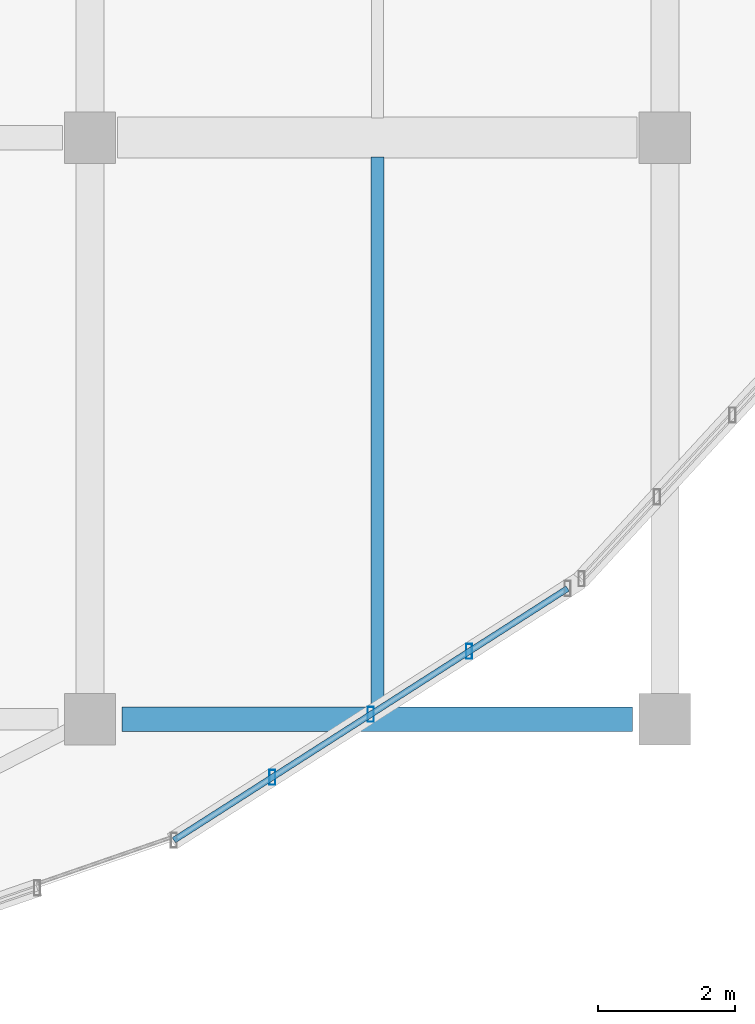
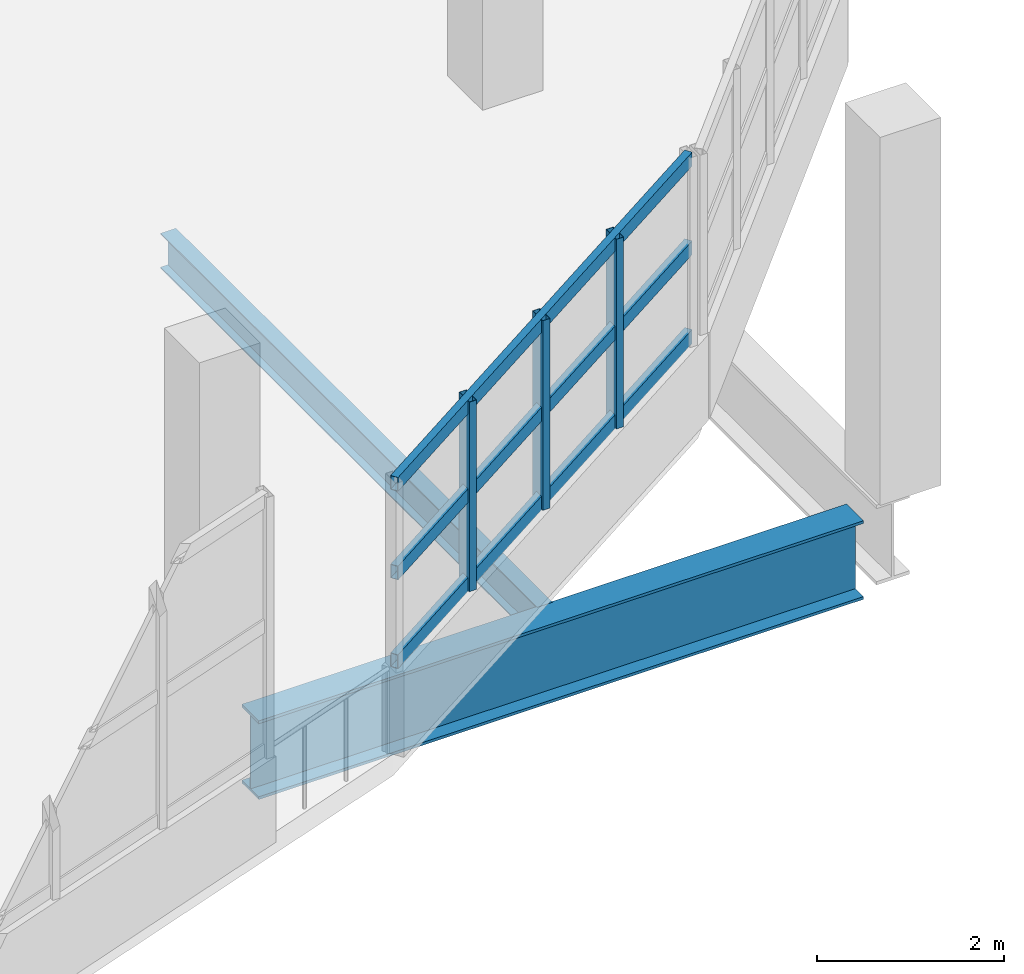
# One storey, part 22 of 117: 6 members, 2 beams, 1 element without a shape of its own.
"""IFC4 building model written with IfcOpenShell, lengths in metres."""

import ifcopenshell
import ifcopenshell.guid

model = None  # the IFC model being written
_history = None  # IfcOwnerHistory: only IFC2X3 demands one
_inside = {}  # id of a spatial element -> (the spatial element, [elements in it])
_under = {}  # id of a project, library or spatial element -> (it, [spatial elements below it])
_declared = {}  # id of a project -> (the project, [libraries it declares])
_typed = {}  # id of a type object -> (the type object, [elements of that type])
_made_of = {}  # id of a material, layer set ... -> (it, [elements and type objects made of it])


def new_model(schema):
    """Start an empty IFC model of exactly this schema.

    Asked for "IFC4X3", IfcOpenShell would pick the latest addendum, in which some entities
    have other attributes; the version numbers below select the first issue.
    IFC2X3 requires an IfcOwnerHistory on every rooted entity: one is made here for all.
    """
    global model, _history
    if schema == "IFC4X3":
        model = ifcopenshell.file(schema_version=(4, 3, 0, 0))
    else:
        model = ifcopenshell.file(schema=schema)
    _inside.clear()
    _under.clear()
    _declared.clear()
    _typed.clear()
    _made_of.clear()
    _history = None
    if model.schema == "IFC2X3":
        org = make("IfcOrganization", Name="unknown")
        user = make(
            "IfcPersonAndOrganization",
            ThePerson=make("IfcPerson", FamilyName="unknown"),
            TheOrganization=org,
        )
        app = make(
            "IfcApplication",
            ApplicationDeveloper=org,
            Version="unknown",
            ApplicationFullName="unknown",
            ApplicationIdentifier="unknown",
        )
        _history = make(
            "IfcOwnerHistory",
            OwningUser=user,
            OwningApplication=app,
            ChangeAction="ADDED",
            CreationDate=0,
        )
    return model


def make(cls, **values):
    """One entity of the class cls with the attributes given. An attribute that is None is left unset."""
    return model.create_entity(
        cls, **{name: value for name, value in values.items() if value is not None}
    )


def rooted(cls, **values):
    """An entity with a GlobalId (a new one), such as an element, a storey or a relation."""
    return make(cls, GlobalId=ifcopenshell.guid.new(), OwnerHistory=_history, **values)


def si_unit(unit_type, name, prefix=None):
    """IfcSIUnit, for example si_unit("LENGTHUNIT", "METRE", prefix="MILLI")."""
    return make("IfcSIUnit", UnitType=unit_type, Prefix=prefix, Name=name)


def assignment(units):
    """IfcUnitAssignment: the units of a project."""
    return None if units is None else make("IfcUnitAssignment", Units=units)


def point(xyz):
    """IfcCartesianPoint."""
    return None if xyz is None else make("IfcCartesianPoint", Coordinates=xyz)


def direction(xyz):
    """IfcDirection."""
    return None if xyz is None else make("IfcDirection", DirectionRatios=xyz)


def frame(location, z_axis=None, x_axis=None):
    """IfcAxis2Placement3D, a coordinate frame: its origin and axes. An axis left out is left unset."""
    return make(
        "IfcAxis2Placement3D",
        Location=point(location),
        Axis=direction(z_axis),
        RefDirection=direction(x_axis),
    )


def frame_2d(location, x_axis=None):
    """IfcAxis2Placement2D, a coordinate frame in the plane: its origin and x axis."""
    return make(
        "IfcAxis2Placement2D", Location=point(location), RefDirection=direction(x_axis)
    )


def origin():
    """The frame at (0, 0, 0) with its axes left unset."""
    return frame((0.0, 0.0, 0.0))


def origin_2d():
    """The frame at (0, 0) in the plane with its x axis left unset."""
    return frame_2d((0.0, 0.0))


def place(relative_to, where):
    """IfcLocalPlacement: puts the frame where relative to a parent placement (None: the world)."""
    return make(
        "IfcLocalPlacement", PlacementRelTo=relative_to, RelativePlacement=where
    )


def context(
    kind, dimensions, precision=None, world=None, true_north=None, identifier=None
):
    """IfcGeometricRepresentationContext, for example the 3D "Model" context."""
    return make(
        "IfcGeometricRepresentationContext",
        ContextIdentifier=identifier,
        ContextType=kind,
        CoordinateSpaceDimension=dimensions,
        Precision=precision,
        WorldCoordinateSystem=world,
        TrueNorth=true_north,
    )


def subcontext(parent, identifier, kind, view, scale=None):
    """IfcGeometricRepresentationSubContext, for example "Body" below "Model"."""
    return make(
        "IfcGeometricRepresentationSubContext",
        ContextIdentifier=identifier,
        ContextType=kind,
        ParentContext=parent,
        TargetScale=scale,
        TargetView=view,
    )


def project(units=None, contexts=None):
    """IfcProject with its units and contexts."""
    return rooted(
        "IfcProject",
        Name="project",
        RepresentationContexts=contexts,
        UnitsInContext=assignment(units),
    )


def spatial(cls, under=None, at=None, **own):
    """A site, building, storey or space (cls), placed at a placement, below another one or the project."""
    s = rooted(cls, ObjectPlacement=at, **own)
    if under is not None:
        _under.setdefault(under.id(), (under, []))[1].append(s)
    return s


def profile(cls, at=None, kind="AREA", **sizes):
    """A parametric profile (cls). Its sizes go by their IFC names, for example OverallWidth=200.0."""
    return make(cls, ProfileType=kind, Position=at, **sizes)


def hollow_rectangle(**sizes):
    """IfcRectangleHollowProfileDef."""
    return profile("IfcRectangleHollowProfileDef", **sizes)


def i_section(**sizes):
    """IfcIShapeProfileDef."""
    return profile("IfcIShapeProfileDef", **sizes)


def extrude(swept, where, along, depth):
    """IfcExtrudedAreaSolid: the profile swept, set in the frame where, extruded along a direction by depth."""
    return make(
        "IfcExtrudedAreaSolid",
        SweptArea=swept,
        Position=where,
        ExtrudedDirection=direction(along),
        Depth=depth,
    )


def shape(context_of_items, identifier, shape_type, items):
    """IfcShapeRepresentation: the items that make up one representation, for example the "Body"."""
    return make(
        "IfcShapeRepresentation",
        ContextOfItems=context_of_items,
        RepresentationIdentifier=identifier,
        RepresentationType=shape_type,
        Items=items,
    )


def material(Name=None, Category=None):
    """IfcMaterial."""
    return make("IfcMaterial", Name=Name, Category=Category)


def material_profile(
    of_material, cross_section, Name=None, Category=None, Priority=None
):
    """IfcMaterialProfile: a cross section and its material."""
    return make(
        "IfcMaterialProfile",
        Name=Name,
        Material=of_material,
        Profile=cross_section,
        Priority=Priority,
        Category=Category,
    )


def profile_set(profiles, Name=None, composite=None):
    """IfcMaterialProfileSet."""
    return make(
        "IfcMaterialProfileSet",
        Name=Name,
        MaterialProfiles=profiles,
        CompositeProfile=composite,
    )


def made_of(thing, what):
    """Note that an element or type object is made of a material, layer set ...; save() writes the relation."""
    if what is not None:
        _made_of.setdefault(what.id(), (what, []))[1].append(thing)
    return thing


def type_object(cls, material=None, **own):
    """A type object (cls), such as IfcWallType, which elements share."""
    return made_of(rooted(cls, **own), material)


def element(
    cls,
    number,
    at=None,
    inside=None,
    cuts=None,
    type_object=None,
    material=None,
    context=None,
    identifier="Body",
    shape_type=None,
    held_by="IfcProductDefinitionShape",
    body=None,
    shapes=None,
    **own,
):
    """One element of the class cls, such as IfcWall. Its Tag is "e" and its number.

    at: its placement. inside: the storey or other place that contains it. cuts: it is an
    opening in that element (IfcRelVoidsElement). A single representation is given by context,
    identifier, shape_type and body (its items); several are given by shapes. held_by: the class
    of the entity that holds the representations. save() writes the other relations.
    """
    e = rooted(cls, Tag="e%d" % number, ObjectPlacement=at, **own)
    if body is not None:
        shapes = [shape(context, identifier, shape_type, body)]
    if shapes is not None:
        e.Representation = make(held_by, Representations=shapes)
    if inside is not None:
        _inside.setdefault(inside.id(), (inside, []))[1].append(e)
    if cuts is not None:
        rooted(
            "IfcRelVoidsElement", RelatingBuildingElement=cuts, RelatedOpeningElement=e
        )
    if type_object is not None:
        _typed.setdefault(type_object.id(), (type_object, []))[1].append(e)
    return made_of(e, material)


def aggregate(whole, parts):
    """IfcRelAggregates: a whole, such as a stair, and the parts it consists of."""
    return rooted("IfcRelAggregates", RelatingObject=whole, RelatedObjects=parts)


def save(model, path):
    """Write the relations noted so far, then the file.

    IfcRelAggregates (storeys below a building ...), IfcRelContainedInSpatialStructure (elements
    in a storey), IfcRelDefinesByType, IfcRelAssociatesMaterial and IfcRelDeclares: one each for
    every whole, place, type object, material and project.
    """
    for whole, parts in _under.values():
        aggregate(whole, parts)
    for where, things in _inside.values():
        rooted(
            "IfcRelContainedInSpatialStructure",
            RelatedElements=things,
            RelatingStructure=where,
        )
    for kind, things in _typed.values():
        rooted("IfcRelDefinesByType", RelatedObjects=things, RelatingType=kind)
    for what, things in _made_of.values():
        rooted("IfcRelAssociatesMaterial", RelatedObjects=things, RelatingMaterial=what)
    for by, libraries in _declared.values():
        rooted("IfcRelDeclares", RelatingContext=by, RelatedDefinitions=libraries)
    model.write(path)


model = new_model("IFC4")

# Units and contexts
model_context = context("Model", 3, precision=1e-05, world=origin(), true_north=direction((0.0, 1.0)))
body_context = subcontext(model_context, "Body", "Model", "MODEL_VIEW")
ifc_project = project(units=[si_unit("LENGTHUNIT", "METRE"), si_unit("AREAUNIT", "SQUARE_METRE"), si_unit("VOLUMEUNIT", "CUBIC_METRE"), si_unit("PLANEANGLEUNIT", "RADIAN"), si_unit("MASSUNIT", "GRAM", prefix="KILO")], contexts=[model_context])

# Site, building, storey
site_placement = place(None, origin())
site = spatial("IfcSite", under=ifc_project, at=site_placement, CompositionType="ELEMENT")
building_placement = place(site_placement, origin())
building = spatial("IfcBuilding", under=site, at=building_placement, Name="Solvento Point Concert Hall", CompositionType="ELEMENT")
storey_placement = place(building_placement, frame((0.0, 0.0, 5.39990234375)))
storey = spatial("IfcBuildingStorey", under=building, at=storey_placement, Name="L01", CompositionType="ELEMENT", Elevation=5.39990234375)

# Beams
ifc_material_1 = material(Name="Structural Steel ASTM A992 Grade 50", Category="steel")
ifc_material_profile_1 = material_profile(ifc_material_1, i_section(OverallWidth=0.361083984375, OverallDepth=1.02587890625, WebThickness=0.01904296875, FlangeThickness=0.0361328125, at=origin_2d()), Name="W40X249")
ifc_profile_set_1 = profile_set([ifc_material_profile_1], Name="Structural Steel ASTM A992 Grade 50")
beam_type_1 = type_object("IfcBeamType", Name="Girder_W40X249", PredefinedType="USERDEFINED", material=ifc_profile_set_1)
beam_1_placement = place(storey_placement, frame((74.868896484375, 17.0, -0.796875), z_axis=(1.0, 0.0, 0.0), x_axis=(0.0, 1.0, 0.0)))
element("IfcBeam", 1, at=beam_1_placement, inside=storey, type_object=beam_type_1, Name="Primary girder B-29 L01", ObjectType="GIRDER", PredefinedType="USERDEFINED", context=body_context, shape_type="SweptSolid", body=[
    extrude(i_section(OverallWidth=0.361083984375, OverallDepth=1.02587890625, WebThickness=0.01904296875, FlangeThickness=0.0361328125, at=origin_2d()), origin(), (0.0, 0.0, 1.0), 7.462158203125),
])
ifc_material_2 = material(Name="Structural Steel ASTM A992 Grade 50", Category="steel")
ifc_material_profile_2 = material_profile(ifc_material_2, i_section(OverallWidth=0.1904296875, OverallDepth=0.45703125, WebThickness=0.009033203125, FlangeThickness=0.014404296875, at=origin_2d()), Name="W18X50")
ifc_profile_set_2 = profile_set([ifc_material_profile_2], Name="Structural Steel ASTM A992 Grade 50")
beam_type_2 = type_object("IfcBeamType", Name="Joist_W18X50", PredefinedType="JOIST", material=ifc_profile_set_2)
beam_2_placement = place(storey_placement, frame((78.60009765625, 17.16552734375, -0.512451171875), z_axis=(0.0, 1.0, 0.0), x_axis=(-1.0, 0.0, 0.0)))
element("IfcBeam", 2, at=beam_2_placement, inside=storey, type_object=beam_type_2, Name="Secondary floor joist B-66 L01", PredefinedType="JOIST", context=body_context, shape_type="SweptSolid", body=[
    extrude(i_section(OverallWidth=0.1904296875, OverallDepth=0.45703125, WebThickness=0.009033203125, FlangeThickness=0.014404296875, at=origin_2d()), origin(), (0.0, 0.0, 1.0), 8.049560546875),
])

# Curtain wall, members
ifc_material_3 = material(Name="Anodized Bronze Aluminium", Category="aluminium")
curtain_wall_type = type_object("IfcCurtainWallType", Name="CurtainWall_RingRibbon_L01_02", PredefinedType="USERDEFINED", material=ifc_material_3)
curtain_wall_placement = place(storey_placement, origin())
curtain_wall = element("IfcCurtainWall", 3, at=curtain_wall_placement, inside=storey, type_object=curtain_wall_type, Name="Unitised curtain wall CW-59 UCW-L01-110", ObjectType="UNITISED CURTAIN WALL", PredefinedType="USERDEFINED")
ifc_material_4 = material(Name="Anodized Bronze Aluminium", Category="aluminium")
ifc_material_profile_3 = material_profile(ifc_material_4, hollow_rectangle(XDim=0.090087890625, YDim=0.219970703125, WallThickness=0.00439453125, at=origin_2d()), Name="CW-MUL-90X220")
ifc_profile_set_3 = profile_set([ifc_material_profile_3], Name="Anodized Bronze Aluminium")
member_type_1 = type_object("IfcMemberType", Name="Mullion_90x220", PredefinedType="MULLION", material=ifc_profile_set_3)
member_1_placement = place(storey_placement, frame((79.94091796875, 17.9912109375, 1.1201171875), z_axis=(0.0, 0.0, 1.0), x_axis=(1.0, 0.0, 0.0)))
member_1 = element("IfcMember", 4, at=member_1_placement, type_object=member_type_1, Name="Curtain wall mullion ML-02", PredefinedType="MULLION", context=body_context, shape_type="SweptSolid", body=[
    extrude(hollow_rectangle(XDim=0.090087890625, YDim=0.219970703125, WallThickness=0.00439453125, at=origin_2d()), origin(), (0.0, 0.0, 1.0), 2.473876953125),
])
member_2_placement = place(storey_placement, frame((78.502197265625, 17.0712890625, 1.1201171875), z_axis=(0.0, 0.0, 1.0), x_axis=(1.0, 0.0, 0.0)))
member_2 = element("IfcMember", 5, at=member_2_placement, type_object=member_type_1, Name="Curtain wall mullion ML-02", PredefinedType="MULLION", context=body_context, shape_type="SweptSolid", body=[
    extrude(hollow_rectangle(XDim=0.090087890625, YDim=0.219970703125, WallThickness=0.00439453125, at=origin_2d()), origin(), (0.0, 0.0, 1.0), 2.473876953125),
])
member_3_placement = place(storey_placement, frame((77.063720703125, 16.1513671875, 1.1201171875), z_axis=(0.0, 0.0, 1.0), x_axis=(1.0, 0.0, 0.0)))
member_3 = element("IfcMember", 6, at=member_3_placement, type_object=member_type_1, Name="Curtain wall mullion ML-02", PredefinedType="MULLION", context=body_context, shape_type="SweptSolid", body=[
    extrude(hollow_rectangle(XDim=0.090087890625, YDim=0.219970703125, WallThickness=0.00439453125, at=origin_2d()), origin(), (0.0, 0.0, 1.0), 2.473876953125),
])
ifc_material_5 = material(Name="Anodized Bronze Aluminium", Category="aluminium")
ifc_material_profile_4 = material_profile(ifc_material_5, hollow_rectangle(XDim=0.090087890625, YDim=0.179931640625, WallThickness=0.00439453125, at=origin_2d()), Name="CW-TRN-90X180")
ifc_profile_set_4 = profile_set([ifc_material_profile_4], Name="Anodized Bronze Aluminium")
member_type_2 = type_object("IfcMemberType", Name="Transom_90x180", PredefinedType="USERDEFINED", material=ifc_profile_set_4)
member_4_placement = place(storey_placement, frame((81.37939453125, 18.910888671875, 1.2001953125), z_axis=(-0.84250113822, -0.5386945629, 0.0), x_axis=(0.5386945629, -0.84250113822, 0.0)))
member_4 = element("IfcMember", 7, at=member_4_placement, type_object=member_type_2, Name="Curtain wall transom TR-02", ObjectType="TRANSOM", PredefinedType="USERDEFINED", context=body_context, shape_type="SweptSolid", body=[
    extrude(hollow_rectangle(XDim=0.090087890625, YDim=0.179931640625, WallThickness=0.00439453125, at=origin_2d()), origin(), (0.0, 0.0, 1.0), 6.829833984375),
])
member_5_placement = place(storey_placement, frame((81.37939453125, 18.910888671875, 2.357177734375), z_axis=(-0.84250113822, -0.5386945629, 0.0), x_axis=(0.5386945629, -0.84250113822, 0.0)))
member_5 = element("IfcMember", 8, at=member_5_placement, type_object=member_type_2, Name="Curtain wall transom TR-02", ObjectType="TRANSOM", PredefinedType="USERDEFINED", context=body_context, shape_type="SweptSolid", body=[
    extrude(hollow_rectangle(XDim=0.090087890625, YDim=0.179931640625, WallThickness=0.00439453125, at=origin_2d()), origin(), (0.0, 0.0, 1.0), 6.829833984375),
])
member_6_placement = place(storey_placement, frame((81.37939453125, 18.910888671875, 3.51416015625), z_axis=(-0.84250113822, -0.5386945629, 0.0), x_axis=(0.5386945629, -0.84250113822, 0.0)))
member_6 = element("IfcMember", 9, at=member_6_placement, type_object=member_type_2, Name="Curtain wall transom TR-02", ObjectType="TRANSOM", PredefinedType="USERDEFINED", context=body_context, shape_type="SweptSolid", body=[
    extrude(hollow_rectangle(XDim=0.090087890625, YDim=0.179931640625, WallThickness=0.00439453125, at=origin_2d()), origin(), (0.0, 0.0, 1.0), 6.829833984375),
])
aggregate(curtain_wall, [member_1, member_2, member_3, member_4, member_5, member_6])

save(model, "model.ifc")
